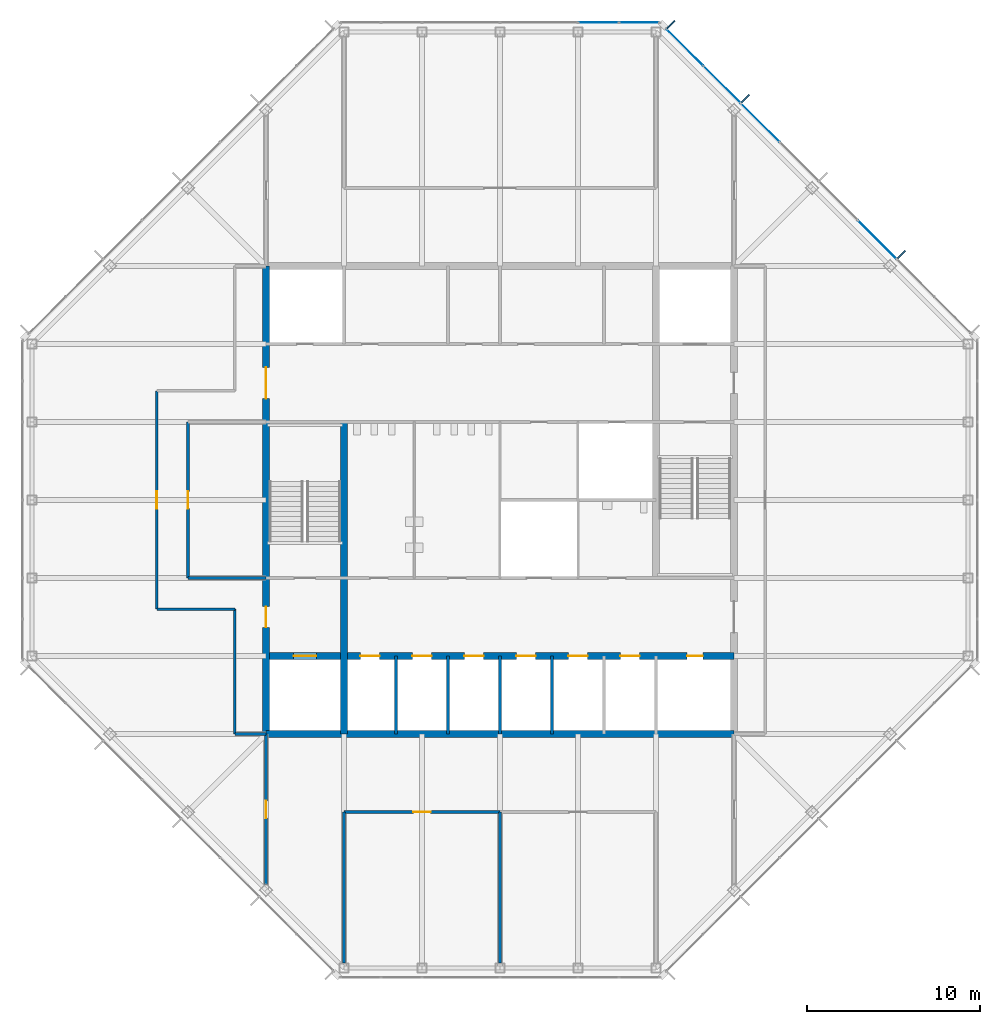
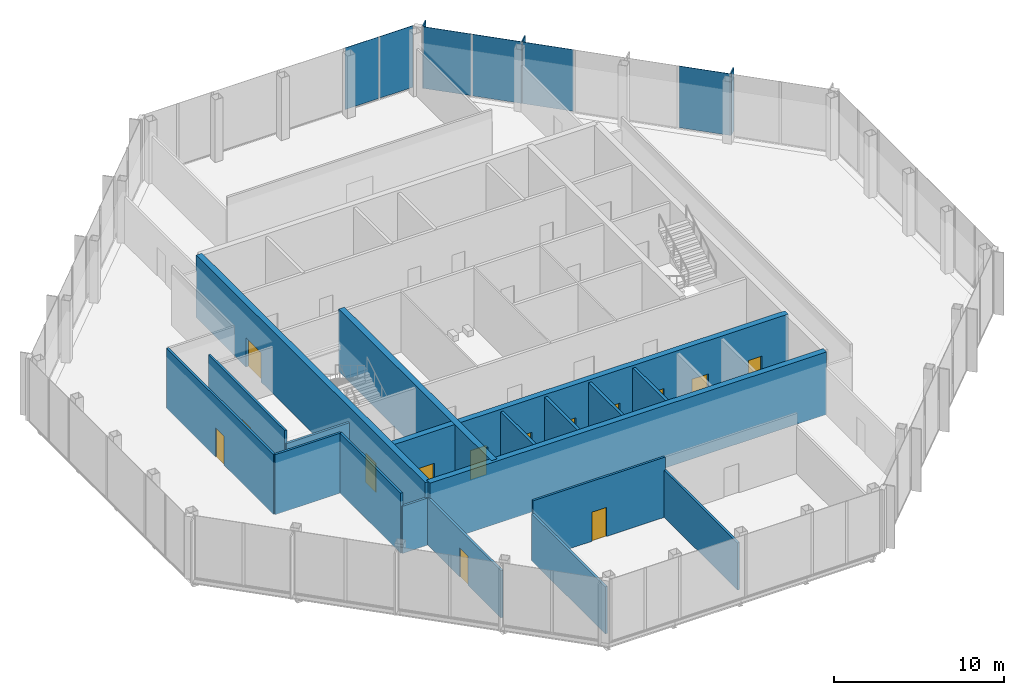
# One storey, part 9 of 13: 18 walls, 14 doors, 9 plates, 14 openings, 2 elements without a shape of their own.
"""IFC4 building model written with IfcOpenShell, lengths in metres."""

from ifc_helpers import new_model, si_unit, direction, frame, frame_2d, origin, origin_2d, place, context, subcontext, project, spatial, rectangle, extrude, material, layer, layer_set, type_object, element, fill, aggregate, save


model = new_model("IFC4")

# Units and contexts
model_context = context("Model", 3, precision=1e-05, world=origin(), true_north=direction((0.0, 1.0)))
body_context = subcontext(model_context, "Body", "Model", "MODEL_VIEW")
ifc_project = project(units=[si_unit("LENGTHUNIT", "METRE"), si_unit("AREAUNIT", "SQUARE_METRE"), si_unit("VOLUMEUNIT", "CUBIC_METRE"), si_unit("PLANEANGLEUNIT", "RADIAN"), si_unit("MASSUNIT", "GRAM", prefix="KILO")], contexts=[model_context])

# Site, building, storey
site_placement = place(None, origin())
site = spatial("IfcSite", under=ifc_project, at=site_placement, CompositionType="ELEMENT")
building_placement = place(site_placement, origin())
building = spatial("IfcBuilding", under=site, at=building_placement, Name="Corais Broadcast Tower", CompositionType="ELEMENT")
storey_placement = place(building_placement, frame((0.0, 0.0, 310.60009765625)))
storey = spatial("IfcBuildingStorey", under=building, at=storey_placement, Name="L73", CompositionType="ELEMENT", Elevation=310.60009765625)

# Curtain wall, plate
ifc_material_1 = material(Name="Aluminium and glass", Category="aluminium")
curtain_wall_type = type_object("IfcCurtainWallType", Name="Unitised fritted curtain wall CW3", PredefinedType="NOTDEFINED", material=ifc_material_1)
curtain_wall_1_placement = place(storey_placement, origin())
curtain_wall_1 = element("IfcCurtainWall", 1, at=curtain_wall_1_placement, inside=storey, type_object=curtain_wall_type, Name="CW3 curtain wall L73 4", PredefinedType="NOTDEFINED")
ifc_material_2 = material(Name="Ceramic-fritted laminated glass", Category="glass")
ifc_layer_1 = layer(ifc_material_2, 0.02587890625)
ifc_layer_set_1 = layer_set([ifc_layer_1], Name="Ceramic-fritted laminated glass")
plate_type_1 = type_object("IfcPlateType", Name="Fritted glass panel CW3", PredefinedType="CURTAIN_PANEL", material=ifc_layer_set_1)
plate_1_placement = place(storey_placement, frame((32.681884765625, 54.550048828125, 0.06494140625), z_axis=(0.0, 0.0, 1.0), x_axis=(1.0, 0.0, 0.0)))
plate_1 = element("IfcPlate", 2, at=plate_1_placement, type_object=plate_type_1, Name="CW3 panel 5", PredefinedType="CURTAIN_PANEL", context=body_context, shape_type="SweptSolid", body=[
    extrude(rectangle(XDim=2.298828125, YDim=0.02587890625, at=origin_2d()), origin(), (0.0, 0.0, 1.0), 4.43505859375),
])

# Curtain wall, plates
curtain_wall_2_placement = place(storey_placement, origin())
curtain_wall_2 = element("IfcCurtainWall", 3, at=curtain_wall_2_placement, inside=storey, type_object=curtain_wall_type, Name="CW3 curtain wall L73 5", PredefinedType="NOTDEFINED")
plate_2_placement = place(storey_placement, frame((37.669677734375, 53.108154296875, 0.06494140625), z_axis=(0.0, 0.0, 1.0), x_axis=(0.707106781187, -0.707106781187, 0.0)))
plate_2 = element("IfcPlate", 4, at=plate_2_placement, type_object=plate_type_1, Name="CW3 panel 1", PredefinedType="CURTAIN_PANEL", context=body_context, shape_type="SweptSolid", body=[
    extrude(rectangle(XDim=2.9482421875, YDim=0.02587890625, at=origin_2d()), origin(), (0.0, 0.0, 1.0), 4.43505859375),
])
plate_3_placement = place(storey_placement, frame((42.013916015625, 48.763916015625, 0.06494140625), z_axis=(0.0, 0.0, 1.0), x_axis=(0.707106781187, -0.707106781187, 0.0)))
plate_3 = element("IfcPlate", 5, at=plate_3_placement, type_object=plate_type_1, Name="CW3 panel 3", PredefinedType="CURTAIN_PANEL", context=body_context, shape_type="SweptSolid", body=[
    extrude(rectangle(XDim=3.116943359375, YDim=0.02587890625, at=origin_2d()), origin(), (0.0, 0.0, 1.0), 4.43505859375),
])

# Plate
ifc_material_3 = material(Name="Clear laminated glass", Category="glass")
ifc_layer_2 = layer(ifc_material_3, 0.030029296875)
ifc_layer_set_2 = layer_set([ifc_layer_2], Name="Clear laminated glass")
plate_type_2 = type_object("IfcPlateType", Name="Operable glass panel CW3", PredefinedType="CURTAIN_PANEL", material=ifc_layer_set_2)
plate_4_placement = place(storey_placement, frame((35.029541015625, 54.550048828125, 0.06494140625), z_axis=(0.0, 0.0, 1.0), x_axis=(1.0, 0.0, 0.0)))
plate_4 = element("IfcPlate", 6, at=plate_4_placement, type_object=plate_type_2, Name="CW3 operable panel 6", PredefinedType="CURTAIN_PANEL", context=body_context, shape_type="SweptSolid", body=[
    extrude(rectangle(XDim=2.266357421875, YDim=0.030029296875, at=origin_2d()), origin(), (0.0, 0.0, 1.0), 4.43505859375),
])

aggregate(curtain_wall_1, [plate_1, plate_4])

plate_5_placement = place(storey_placement, frame((39.81201171875, 50.9658203125, 0.06494140625), z_axis=(0.0, 0.0, 1.0), x_axis=(0.707106781187, -0.707106781187, 0.0)))
plate_5 = element("IfcPlate", 7, at=plate_5_placement, type_object=plate_type_2, Name="CW3 operable panel 2", PredefinedType="CURTAIN_PANEL", context=body_context, shape_type="SweptSolid", body=[
    extrude(rectangle(XDim=2.98095703125, YDim=0.030029296875, at=origin_2d()), origin(), (0.0, 0.0, 1.0), 4.43505859375),
])

plate_6_placement = place(storey_placement, frame((48.763916015625, 42.013916015625, 0.06494140625), z_axis=(0.0, 0.0, 1.0), x_axis=(0.707106781187, -0.707106781187, 0.0)))
plate_6 = element("IfcPlate", 8, at=plate_6_placement, type_object=plate_type_2, Name="CW3 operable panel 6", PredefinedType="CURTAIN_PANEL", context=body_context, shape_type="SweptSolid", body=[
    extrude(rectangle(XDim=3.116943359375, YDim=0.030029296875, at=origin_2d()), origin(), (0.0, 0.0, 1.0), 4.43505859375),
])

aggregate(curtain_wall_2, [plate_2, plate_5, plate_3, plate_6])

# Plates
ifc_material_4 = material(Name="Granite stone cladding", Category="masonry")
ifc_layer_3 = layer(ifc_material_4, 0.080078125)
ifc_layer_set_3 = layer_set([ifc_layer_3], Name="Granite stone cladding")
plate_type_3 = type_object("IfcPlateType", Name="Stone screen fin 80x600", PredefinedType="USERDEFINED", material=ifc_layer_set_3)
for number, where, z_axis, x_axis, name in (
    (9, (36.870849609375, 54.43994140625, 0.0), (0.0, 0.0, 1.0), (0.707106781187, -0.707106781187, 0.0), "SF1 stone screen fin L73"),
    (10, (41.155517578125, 50.155517578125, 0.0), (0.0, 0.0, 1.0), (0.707106781187, -0.707106781187, 0.0), "SF1 stone screen fin L73"),
    (11, (50.155517578125, 41.155517578125, 0.0), (0.0, 0.0, 1.0), (0.707106781187, -0.707106781187, 0.0), "SF1 stone screen fin L73"),
):
    element("IfcPlate", number, at=place(storey_placement, frame(where, z_axis=z_axis, x_axis=x_axis)), inside=storey, type_object=plate_type_3, Name=name, ObjectType="STONE SCREEN FIN", PredefinedType="USERDEFINED", context=body_context, shape_type="SweptSolid", body=[
        extrude(rectangle(XDim=0.080078125, YDim=0.60009765625, at=origin_2d()), origin(), (0.0, 0.0, 1.0), 4.5),
    ])

# Wall
ifc_material_5 = material(Name="Concrete C50/60", Category="concrete")
ifc_layer_4 = layer(ifc_material_5, 0.39990234375)
ifc_layer_set_4 = layer_set([ifc_layer_4], Name="Concrete C50/60")
wall_type_1 = type_object("IfcWallType", Name="Core wall 400", PredefinedType="SHEAR", material=ifc_layer_set_4)
wall_1_placement = place(storey_placement, frame((13.5, 13.5, 0.0), z_axis=(0.0, 0.0, 1.0), x_axis=(1.0, 0.0, 0.0)))
element("IfcWall", 12, at=wall_1_placement, inside=storey, type_object=wall_type_1, Name="CR400 core wall S L73", PredefinedType="SHEAR", context=body_context, shape_type="SweptSolid", body=[
    extrude(rectangle(XDim=27.0, YDim=0.39990234375, at=frame_2d((13.5, 0.0))), origin(), (0.0, 0.0, 1.0), 4.5),
])

# Wall, openings, doors
wall_2_placement = place(storey_placement, frame((13.5, 40.5, 0.0), z_axis=(0.0, 0.0, 1.0), x_axis=(0.0, -1.0, 0.0)))
wall_2 = element("IfcWall", 13, at=wall_2_placement, inside=storey, type_object=wall_type_1, Name="CR400 core wall W L73", PredefinedType="SHEAR", context=body_context, shape_type="SweptSolid", body=[
    extrude(rectangle(XDim=27.0, YDim=0.39990234375, at=frame_2d((13.5, 0.0))), origin(), (0.0, 0.0, 1.0), 4.5),
])
opening_1_placement = place(wall_2_placement, frame((19.64990234375, 0.0, 0.0)))
opening_1 = element("IfcOpeningElement", 14, at=opening_1_placement, cuts=wall_2, Name="Opening FD1", PredefinedType="OPENING", context=body_context, shape_type="SweptSolid", body=[
    extrude(rectangle(XDim=1.199951171875, YDim=2.10009765625, at=frame_2d((0.60009765625, 1.050048828125))), frame((0.0, 0.2099609375, 0.0), z_axis=(0.0, -1.0, 0.0), x_axis=(1.0, 0.0, 0.0)), (0.0, 0.0, 1.0), 0.419921875),
])
opening_2_placement = place(wall_2_placement, frame((5.85009765625, 0.0, 0.0)))
opening_2 = element("IfcOpeningElement", 15, at=opening_2_placement, cuts=wall_2, Name="Opening FD2", PredefinedType="OPENING", context=body_context, shape_type="SweptSolid", body=[
    extrude(rectangle(XDim=1.800048828125, YDim=2.10009765625, at=frame_2d((0.89990234375, 1.050048828125))), frame((0.0, 0.2099609375, 0.0), z_axis=(0.0, -1.0, 0.0), x_axis=(1.0, 0.0, 0.0)), (0.0, 0.0, 1.0), 0.419921875),
])
ifc_material_6 = material(Name="Steel fire door", Category="steel")
door_type_1 = type_object("IfcDoorType", Name="Fire door 1200x2100", OperationType="SINGLE_SWING_LEFT", PredefinedType="DOOR", material=ifc_material_6)
door_1_placement = place(opening_1_placement, origin())
door_1 = element("IfcDoor", 16, at=door_1_placement, inside=storey, type_object=door_type_1, Name="FD1 fire lobby A door L73", OperationType="SINGLE_SWING_RIGHT", OverallHeight=2.10009765625, OverallWidth=1.199951171875, PredefinedType="DOOR", context=body_context, shape_type="SweptSolid", body=[
    extrude(rectangle(XDim=1.199951171875, YDim=2.10009765625, at=frame_2d((0.60009765625, 1.050048828125))), frame((0.0, 0.02490234375, 0.0), z_axis=(0.0, -1.0, 0.0), x_axis=(1.0, 0.0, 0.0)), (0.0, 0.0, 1.0), 0.050048828125),
])
fill(opening_1, door_1)
ifc_material_7 = material(Name="Steel fire door", Category="steel")
door_type_2 = type_object("IfcDoorType", Name="Fire door pair 1800x2100", OperationType="DOUBLE_DOOR_SINGLE_SWING", PredefinedType="DOOR", material=ifc_material_7)
door_2_placement = place(opening_2_placement, origin())
door_2 = element("IfcDoor", 17, at=door_2_placement, inside=storey, type_object=door_type_2, Name="FD2 lift lobby door L73", OperationType="SINGLE_SWING_LEFT", OverallHeight=2.10009765625, OverallWidth=1.800048828125, PredefinedType="DOOR", context=body_context, shape_type="SweptSolid", body=[
    extrude(rectangle(XDim=1.800048828125, YDim=2.10009765625, at=frame_2d((0.89990234375, 1.050048828125))), frame((0.0, 0.02490234375, 0.0), z_axis=(0.0, -1.0, 0.0), x_axis=(1.0, 0.0, 0.0)), (0.0, 0.0, 1.0), 0.050048828125),
])
fill(opening_2, door_2)

# Wall
wall_3_placement = place(storey_placement, frame((18.0, 13.5, 0.0), z_axis=(0.0, 0.0, 1.0), x_axis=(0.0, 1.0, 0.0)))
element("IfcWall", 18, at=wall_3_placement, inside=storey, type_object=wall_type_1, Name="CR400 core wall X18A L73", PredefinedType="SHEAR", context=body_context, shape_type="SweptSolid", body=[
    extrude(rectangle(XDim=18.0, YDim=0.39990234375, at=frame_2d((9.0, 0.0))), origin(), (0.0, 0.0, 1.0), 4.5),
])

# Wall, openings, doors
wall_4_placement = place(storey_placement, frame((13.5, 18.0, 0.0), z_axis=(0.0, 0.0, 1.0), x_axis=(1.0, 0.0, 0.0)))
wall_4 = element("IfcWall", 19, at=wall_4_placement, inside=storey, type_object=wall_type_1, Name="CR400 core wall Y18 L73", PredefinedType="SHEAR", context=body_context, shape_type="SweptSolid", body=[
    extrude(rectangle(XDim=27.0, YDim=0.39990234375, at=frame_2d((13.5, 0.0))), origin(), (0.0, 0.0, 1.0), 4.5),
])
opening_3_placement = place(wall_4_placement, frame((24.300048828125, 0.0, 0.0)))
opening_3 = element("IfcOpeningElement", 20, at=opening_3_placement, cuts=wall_4, Name="Opening RD1", PredefinedType="OPENING", context=body_context, shape_type="SweptSolid", body=[
    extrude(rectangle(XDim=0.89990234375, YDim=2.10009765625, at=frame_2d((0.449951171875, 1.050048828125))), frame((0.0, 0.2099609375, 0.0), z_axis=(0.0, -1.0, 0.0), x_axis=(1.0, 0.0, 0.0)), (0.0, 0.0, 1.0), 0.419921875),
])
opening_4_placement = place(wall_4_placement, frame((5.449951171875, 0.0, 0.0)))
opening_4 = element("IfcOpeningElement", 21, at=opening_4_placement, cuts=wall_4, Name="Opening LD1", PredefinedType="OPENING", context=body_context, shape_type="SweptSolid", body=[
    extrude(rectangle(XDim=1.10009765625, YDim=2.10009765625, at=frame_2d((0.550048828125, 1.050048828125))), frame((0.0, 0.2099609375, 0.0), z_axis=(0.0, -1.0, 0.0), x_axis=(1.0, 0.0, 0.0)), (0.0, 0.0, 1.0), 0.419921875),
])
opening_5_placement = place(wall_4_placement, frame((8.449951171875, 0.0, 0.0)))
opening_5 = element("IfcOpeningElement", 22, at=opening_5_placement, cuts=wall_4, Name="Opening LD1", PredefinedType="OPENING", context=body_context, shape_type="SweptSolid", body=[
    extrude(rectangle(XDim=1.10009765625, YDim=2.10009765625, at=frame_2d((0.550048828125, 1.050048828125))), frame((0.0, 0.2099609375, 0.0), z_axis=(0.0, -1.0, 0.0), x_axis=(1.0, 0.0, 0.0)), (0.0, 0.0, 1.0), 0.419921875),
])
opening_6_placement = place(wall_4_placement, frame((11.449951171875, 0.0, 0.0)))
opening_6 = element("IfcOpeningElement", 23, at=opening_6_placement, cuts=wall_4, Name="Opening LD1", PredefinedType="OPENING", context=body_context, shape_type="SweptSolid", body=[
    extrude(rectangle(XDim=1.10009765625, YDim=2.10009765625, at=frame_2d((0.550048828125, 1.050048828125))), frame((0.0, 0.2099609375, 0.0), z_axis=(0.0, -1.0, 0.0), x_axis=(1.0, 0.0, 0.0)), (0.0, 0.0, 1.0), 0.419921875),
])
opening_7_placement = place(wall_4_placement, frame((14.449951171875, 0.0, 0.0)))
opening_7 = element("IfcOpeningElement", 24, at=opening_7_placement, cuts=wall_4, Name="Opening LD1", PredefinedType="OPENING", context=body_context, shape_type="SweptSolid", body=[
    extrude(rectangle(XDim=1.10009765625, YDim=2.10009765625, at=frame_2d((0.550048828125, 1.050048828125))), frame((0.0, 0.2099609375, 0.0), z_axis=(0.0, -1.0, 0.0), x_axis=(1.0, 0.0, 0.0)), (0.0, 0.0, 1.0), 0.419921875),
])
opening_8_placement = place(wall_4_placement, frame((17.449951171875, 0.0, 0.0)))
opening_8 = element("IfcOpeningElement", 25, at=opening_8_placement, cuts=wall_4, Name="Opening LD1", PredefinedType="OPENING", context=body_context, shape_type="SweptSolid", body=[
    extrude(rectangle(XDim=1.10009765625, YDim=2.10009765625, at=frame_2d((0.550048828125, 1.050048828125))), frame((0.0, 0.2099609375, 0.0), z_axis=(0.0, -1.0, 0.0), x_axis=(1.0, 0.0, 0.0)), (0.0, 0.0, 1.0), 0.419921875),
])
opening_9_placement = place(wall_4_placement, frame((20.449951171875, 0.0, 0.0)))
opening_9 = element("IfcOpeningElement", 26, at=opening_9_placement, cuts=wall_4, Name="Opening LD1", PredefinedType="OPENING", context=body_context, shape_type="SweptSolid", body=[
    extrude(rectangle(XDim=1.10009765625, YDim=2.10009765625, at=frame_2d((0.550048828125, 1.050048828125))), frame((0.0, 0.2099609375, 0.0), z_axis=(0.0, -1.0, 0.0), x_axis=(1.0, 0.0, 0.0)), (0.0, 0.0, 1.0), 0.419921875),
])
opening_10_placement = place(wall_4_placement, frame((1.60009765625, 0.0, 0.0)))
opening_10 = element("IfcOpeningElement", 27, at=opening_10_placement, cuts=wall_4, Name="Opening LD2", PredefinedType="OPENING", context=body_context, shape_type="SweptSolid", body=[
    extrude(rectangle(XDim=1.300048828125, YDim=2.199951171875, at=frame_2d((0.64990234375, 1.10009765625))), frame((0.0, 0.2099609375, 0.0), z_axis=(0.0, -1.0, 0.0), x_axis=(1.0, 0.0, 0.0)), (0.0, 0.0, 1.0), 0.419921875),
])
ifc_material_8 = material(Name="Stainless steel lift door", Category="steel")
door_type_3 = type_object("IfcDoorType", Name="Lift landing door 1100x2100", OperationType="SLIDING_TO_LEFT", PredefinedType="DOOR", material=ifc_material_8)
door_3_placement = place(opening_4_placement, origin())
door_3 = element("IfcDoor", 28, at=door_3_placement, inside=storey, type_object=door_type_3, Name="LD1 PH1 landing door L73", OperationType="SLIDING_TO_LEFT", OverallHeight=2.10009765625, OverallWidth=1.10009765625, PredefinedType="DOOR", context=body_context, shape_type="SweptSolid", body=[
    extrude(rectangle(XDim=1.10009765625, YDim=2.10009765625, at=frame_2d((0.550048828125, 1.050048828125))), frame((0.0, 0.02490234375, 0.0), z_axis=(0.0, -1.0, 0.0), x_axis=(1.0, 0.0, 0.0)), (0.0, 0.0, 1.0), 0.050048828125),
])
fill(opening_4, door_3)
door_4_placement = place(opening_5_placement, origin())
door_4 = element("IfcDoor", 29, at=door_4_placement, inside=storey, type_object=door_type_3, Name="LD1 PH2 landing door L73", OperationType="SLIDING_TO_LEFT", OverallHeight=2.10009765625, OverallWidth=1.10009765625, PredefinedType="DOOR", context=body_context, shape_type="SweptSolid", body=[
    extrude(rectangle(XDim=1.10009765625, YDim=2.10009765625, at=frame_2d((0.550048828125, 1.050048828125))), frame((0.0, 0.02490234375, 0.0), z_axis=(0.0, -1.0, 0.0), x_axis=(1.0, 0.0, 0.0)), (0.0, 0.0, 1.0), 0.050048828125),
])
fill(opening_5, door_4)
door_5_placement = place(opening_6_placement, origin())
door_5 = element("IfcDoor", 30, at=door_5_placement, inside=storey, type_object=door_type_3, Name="LD1 PH3 landing door L73", OperationType="SLIDING_TO_LEFT", OverallHeight=2.10009765625, OverallWidth=1.10009765625, PredefinedType="DOOR", context=body_context, shape_type="SweptSolid", body=[
    extrude(rectangle(XDim=1.10009765625, YDim=2.10009765625, at=frame_2d((0.550048828125, 1.050048828125))), frame((0.0, 0.02490234375, 0.0), z_axis=(0.0, -1.0, 0.0), x_axis=(1.0, 0.0, 0.0)), (0.0, 0.0, 1.0), 0.050048828125),
])
fill(opening_6, door_5)
door_6_placement = place(opening_7_placement, origin())
door_6 = element("IfcDoor", 31, at=door_6_placement, inside=storey, type_object=door_type_3, Name="LD1 PH4 landing door L73", OperationType="SLIDING_TO_LEFT", OverallHeight=2.10009765625, OverallWidth=1.10009765625, PredefinedType="DOOR", context=body_context, shape_type="SweptSolid", body=[
    extrude(rectangle(XDim=1.10009765625, YDim=2.10009765625, at=frame_2d((0.550048828125, 1.050048828125))), frame((0.0, 0.02490234375, 0.0), z_axis=(0.0, -1.0, 0.0), x_axis=(1.0, 0.0, 0.0)), (0.0, 0.0, 1.0), 0.050048828125),
])
fill(opening_7, door_6)
door_7_placement = place(opening_8_placement, origin())
door_7 = element("IfcDoor", 32, at=door_7_placement, inside=storey, type_object=door_type_3, Name="LD1 PH5 landing door L73", OperationType="SLIDING_TO_LEFT", OverallHeight=2.10009765625, OverallWidth=1.10009765625, PredefinedType="DOOR", context=body_context, shape_type="SweptSolid", body=[
    extrude(rectangle(XDim=1.10009765625, YDim=2.10009765625, at=frame_2d((0.550048828125, 1.050048828125))), frame((0.0, 0.02490234375, 0.0), z_axis=(0.0, -1.0, 0.0), x_axis=(1.0, 0.0, 0.0)), (0.0, 0.0, 1.0), 0.050048828125),
])
fill(opening_8, door_7)
door_8_placement = place(opening_9_placement, origin())
door_8 = element("IfcDoor", 33, at=door_8_placement, inside=storey, type_object=door_type_3, Name="LD1 PH6 landing door L73", OperationType="SLIDING_TO_LEFT", OverallHeight=2.10009765625, OverallWidth=1.10009765625, PredefinedType="DOOR", context=body_context, shape_type="SweptSolid", body=[
    extrude(rectangle(XDim=1.10009765625, YDim=2.10009765625, at=frame_2d((0.550048828125, 1.050048828125))), frame((0.0, 0.02490234375, 0.0), z_axis=(0.0, -1.0, 0.0), x_axis=(1.0, 0.0, 0.0)), (0.0, 0.0, 1.0), 0.050048828125),
])
fill(opening_9, door_8)
ifc_material_9 = material(Name="Stainless steel lift door", Category="steel")
door_type_4 = type_object("IfcDoorType", Name="Lift landing door 1300x2200", OperationType="SLIDING_TO_LEFT", PredefinedType="DOOR", material=ifc_material_9)
door_9_placement = place(opening_10_placement, origin())
door_9 = element("IfcDoor", 34, at=door_9_placement, inside=storey, type_object=door_type_4, Name="LD2 FL1 landing door L73", OperationType="SLIDING_TO_LEFT", OverallHeight=2.199951171875, OverallWidth=1.300048828125, PredefinedType="DOOR", context=body_context, shape_type="SweptSolid", body=[
    extrude(rectangle(XDim=1.300048828125, YDim=2.199951171875, at=frame_2d((0.64990234375, 1.10009765625))), frame((0.0, 0.02490234375, 0.0), z_axis=(0.0, -1.0, 0.0), x_axis=(1.0, 0.0, 0.0)), (0.0, 0.0, 1.0), 0.050048828125),
])
fill(opening_10, door_9)
ifc_material_10 = material(Name="Steel fire door", Category="steel")
door_type_5 = type_object("IfcDoorType", Name="Riser door 900x2100", OperationType="SINGLE_SWING_LEFT", PredefinedType="DOOR", material=ifc_material_10)
door_10_placement = place(opening_3_placement, origin())
door_10 = element("IfcDoor", 35, at=door_10_placement, inside=storey, type_object=door_type_5, Name="RD1 riser door L73", OperationType="SINGLE_SWING_RIGHT", OverallHeight=2.10009765625, OverallWidth=0.89990234375, PredefinedType="DOOR", context=body_context, shape_type="SweptSolid", body=[
    extrude(rectangle(XDim=0.89990234375, YDim=2.10009765625, at=frame_2d((0.449951171875, 1.050048828125))), frame((0.0, 0.02490234375, 0.0), z_axis=(0.0, -1.0, 0.0), x_axis=(1.0, 0.0, 0.0)), (0.0, 0.0, 1.0), 0.050048828125),
])
fill(opening_3, door_10)

# Wall, opening, door
ifc_material_11 = material(Name="Gypsum board on steel studs", Category="steel")
ifc_layer_5 = layer(ifc_material_11, 0.14990234375)
ifc_layer_set_5 = layer_set([ifc_layer_5], Name="Gypsum board on steel studs")
wall_type_2 = type_object("IfcWallType", Name="Partition 150", PredefinedType="PARTITIONING", material=ifc_layer_set_5)
wall_5_placement = place(storey_placement, frame((7.199951171875, 33.300048828125, 0.0), z_axis=(0.0, 0.0, 1.0), x_axis=(0.0, -1.0, 0.0)))
wall_5 = element("IfcWall", 36, at=wall_5_placement, inside=storey, type_object=wall_type_2, Name="IW3 corridor wall L73", PredefinedType="PARTITIONING", context=body_context, shape_type="SweptSolid", body=[
    extrude(rectangle(XDim=12.60009765625, YDim=0.14990234375, at=frame_2d((6.300048828125, 0.0))), origin(), (0.0, 0.0, 1.0), 4.31982421875),
])
opening_11_placement = place(wall_5_placement, frame((5.800048828125, 0.0, 0.0)))
opening_11 = element("IfcOpeningElement", 37, at=opening_11_placement, cuts=wall_5, Name="Opening D1", PredefinedType="OPENING", context=body_context, shape_type="SweptSolid", body=[
    extrude(rectangle(XDim=1.0, YDim=2.10009765625, at=frame_2d((0.5, 1.050048828125))), frame((0.0, 0.0849609375, 0.0), z_axis=(0.0, -1.0, 0.0), x_axis=(1.0, 0.0, 0.0)), (0.0, 0.0, 1.0), 0.169921875),
])
ifc_material_12 = material(Name="Timber door", Category="wood")
door_type_6 = type_object("IfcDoorType", Name="Single door 1000x2100", OperationType="SINGLE_SWING_LEFT", PredefinedType="DOOR", material=ifc_material_12)
door_11_placement = place(opening_11_placement, origin())
door_11 = element("IfcDoor", 38, at=door_11_placement, inside=storey, type_object=door_type_6, Name="D1 workplace door L73", OperationType="SINGLE_SWING_LEFT", OverallHeight=2.10009765625, OverallWidth=1.0, PredefinedType="DOOR", context=body_context, shape_type="SweptSolid", body=[
    extrude(rectangle(XDim=1.0, YDim=2.10009765625, at=frame_2d((0.5, 1.050048828125))), frame((0.0, 0.02490234375, 0.0), z_axis=(0.0, -1.0, 0.0), x_axis=(1.0, 0.0, 0.0)), (0.0, 0.0, 1.0), 0.050048828125),
])
fill(opening_11, door_11)

# Walls
wall_6_placement = place(storey_placement, frame((11.699951171875, 20.699951171875, 0.0), z_axis=(0.0, 0.0, 1.0), x_axis=(0.0, -1.0, 0.0)))
element("IfcWall", 39, at=wall_6_placement, inside=storey, type_object=wall_type_2, Name="IW3 corridor wall L73", PredefinedType="PARTITIONING", context=body_context, shape_type="SweptSolid", body=[
    extrude(rectangle(XDim=7.199951171875, YDim=0.14990234375, at=frame_2d((3.60009765625, 0.0))), origin(), (0.0, 0.0, 1.0), 4.31982421875),
])
wall_7_placement = place(storey_placement, frame((7.199951171875, 20.699951171875, 0.0), z_axis=(0.0, 0.0, 1.0), x_axis=(1.0, 0.0, 0.0)))
element("IfcWall", 40, at=wall_7_placement, inside=storey, type_object=wall_type_2, Name="IW3 corridor wall L73", PredefinedType="PARTITIONING", context=body_context, shape_type="SweptSolid", body=[
    extrude(rectangle(XDim=4.5, YDim=0.14990234375, at=frame_2d((2.25, 0.0))), origin(), (0.0, 0.0, 1.0), 4.31982421875),
])
wall_8_placement = place(storey_placement, frame((11.699951171875, 13.5, 0.0), z_axis=(0.0, 0.0, 1.0), x_axis=(1.0, 0.0, 0.0)))
element("IfcWall", 41, at=wall_8_placement, inside=storey, type_object=wall_type_2, Name="IW3 corridor wall L73", PredefinedType="PARTITIONING", context=body_context, shape_type="SweptSolid", body=[
    extrude(rectangle(XDim=1.81005859375, YDim=0.14990234375, at=frame_2d((0.905029296875, 0.0))), origin(), (0.0, 0.0, 1.0), 3.392822265625),
])
wall_9_placement = place(storey_placement, frame((27.0, 0.284912109375, 0.0), z_axis=(0.0, 0.0, 1.0), x_axis=(0.0, 1.0, 0.0)))
element("IfcWall", 42, at=wall_9_placement, inside=storey, type_object=wall_type_2, Name="IW3 partition L73", PredefinedType="PARTITIONING", context=body_context, shape_type="SweptSolid", body=[
    extrude(rectangle(XDim=8.715087890625, YDim=0.14990234375, at=frame_2d((4.357421875, 0.0))), origin(), (0.0, 0.0, 1.0), 3.392822265625),
])

# Wall, opening, door
wall_10_placement = place(storey_placement, frame((27.0, 9.0, 0.0), z_axis=(0.0, 0.0, 1.0), x_axis=(-1.0, 0.0, 0.0)))
wall_10 = element("IfcWall", 43, at=wall_10_placement, inside=storey, type_object=wall_type_2, Name="IW3 partition L73", PredefinedType="PARTITIONING", context=body_context, shape_type="SweptSolid", body=[
    extrude(rectangle(XDim=9.0, YDim=0.14990234375, at=frame_2d((4.5, 0.0))), origin(), (0.0, 0.0, 1.0), 4.31982421875),
])
opening_12_placement = place(wall_10_placement, frame((4.0, 0.0, 0.0)))
opening_12 = element("IfcOpeningElement", 44, at=opening_12_placement, cuts=wall_10, Name="Opening D1", PredefinedType="OPENING", context=body_context, shape_type="SweptSolid", body=[
    extrude(rectangle(XDim=1.0, YDim=2.10009765625, at=frame_2d((0.5, 1.050048828125))), frame((0.0, 0.0849609375, 0.0), z_axis=(0.0, -1.0, 0.0), x_axis=(1.0, 0.0, 0.0)), (0.0, 0.0, 1.0), 0.169921875),
])
door_12_placement = place(opening_12_placement, origin())
door_12 = element("IfcDoor", 45, at=door_12_placement, inside=storey, type_object=door_type_6, Name="D1 Executive office door", OperationType="SINGLE_SWING_LEFT", OverallHeight=2.10009765625, OverallWidth=1.0, PredefinedType="DOOR", context=body_context, shape_type="SweptSolid", body=[
    extrude(rectangle(XDim=1.0, YDim=2.10009765625, at=frame_2d((0.5, 1.050048828125))), frame((0.0, 0.02490234375, 0.0), z_axis=(0.0, -1.0, 0.0), x_axis=(1.0, 0.0, 0.0)), (0.0, 0.0, 1.0), 0.050048828125),
])
fill(opening_12, door_12)

# Walls
wall_11_placement = place(storey_placement, frame((18.0, 9.0, 0.0), z_axis=(0.0, 0.0, 1.0), x_axis=(0.0, -1.0, 0.0)))
element("IfcWall", 46, at=wall_11_placement, inside=storey, type_object=wall_type_2, Name="IW3 partition L73", PredefinedType="PARTITIONING", context=body_context, shape_type="SweptSolid", body=[
    extrude(rectangle(XDim=8.715087890625, YDim=0.14990234375, at=frame_2d((4.357421875, 0.0))), origin(), (0.0, 0.0, 1.0), 3.392822265625),
])
wall_12_placement = place(storey_placement, frame((9.0, 22.5, 0.0), z_axis=(0.0, 0.0, 1.0), x_axis=(1.0, 0.0, 0.0)))
element("IfcWall", 47, at=wall_12_placement, inside=storey, type_object=wall_type_2, Name="IW3 partition L73", PredefinedType="PARTITIONING", context=body_context, shape_type="SweptSolid", body=[
    extrude(rectangle(XDim=4.5, YDim=0.14990234375, at=frame_2d((2.25, 0.0))), origin(), (0.0, 0.0, 1.0), 3.392822265625),
])

# Wall, opening, door
wall_13_placement = place(storey_placement, frame((9.0, 31.5, 0.0), z_axis=(0.0, 0.0, 1.0), x_axis=(0.0, -1.0, 0.0)))
wall_13 = element("IfcWall", 48, at=wall_13_placement, inside=storey, type_object=wall_type_2, Name="IW3 partition L73", PredefinedType="PARTITIONING", context=body_context, shape_type="SweptSolid", body=[
    extrude(rectangle(XDim=9.0, YDim=0.14990234375, at=frame_2d((4.5, 0.0))), origin(), (0.0, 0.0, 1.0), 4.31982421875),
])
opening_13_placement = place(wall_13_placement, frame((4.0, 0.0, 0.0)))
opening_13 = element("IfcOpeningElement", 49, at=opening_13_placement, cuts=wall_13, Name="Opening D1", PredefinedType="OPENING", context=body_context, shape_type="SweptSolid", body=[
    extrude(rectangle(XDim=1.0, YDim=2.10009765625, at=frame_2d((0.5, 1.050048828125))), frame((0.0, 0.0849609375, 0.0), z_axis=(0.0, -1.0, 0.0), x_axis=(1.0, 0.0, 0.0)), (0.0, 0.0, 1.0), 0.169921875),
])
door_13_placement = place(opening_13_placement, origin())
door_13 = element("IfcDoor", 50, at=door_13_placement, inside=storey, type_object=door_type_6, Name="D1 Pantry door", OperationType="SINGLE_SWING_LEFT", OverallHeight=2.10009765625, OverallWidth=1.0, PredefinedType="DOOR", context=body_context, shape_type="SweptSolid", body=[
    extrude(rectangle(XDim=1.0, YDim=2.10009765625, at=frame_2d((0.5, 1.050048828125))), frame((0.0, 0.02490234375, 0.0), z_axis=(0.0, -1.0, 0.0), x_axis=(1.0, 0.0, 0.0)), (0.0, 0.0, 1.0), 0.050048828125),
])
fill(opening_13, door_13)

wall_14_placement = place(storey_placement, frame((13.5, 4.794921875, 0.0), z_axis=(0.0, 0.0, 1.0), x_axis=(0.0, 1.0, 0.0)))
wall_14 = element("IfcWall", 51, at=wall_14_placement, inside=storey, type_object=wall_type_2, Name="IW3 partition L73", PredefinedType="PARTITIONING", context=body_context, shape_type="SweptSolid", body=[
    extrude(rectangle(XDim=8.705078125, YDim=0.14990234375, at=frame_2d((4.3525390625, 0.0))), origin(), (0.0, 0.0, 1.0), 3.392822265625),
])
opening_14_placement = place(wall_14_placement, frame((3.8525390625, 0.0, 0.0)))
opening_14 = element("IfcOpeningElement", 52, at=opening_14_placement, cuts=wall_14, Name="Opening D1", PredefinedType="OPENING", context=body_context, shape_type="SweptSolid", body=[
    extrude(rectangle(XDim=1.0, YDim=2.10009765625, at=frame_2d((0.5, 1.050048828125))), frame((0.0, 0.0849609375, 0.0), z_axis=(0.0, -1.0, 0.0), x_axis=(1.0, 0.0, 0.0)), (0.0, 0.0, 1.0), 0.169921875),
])
door_14_placement = place(opening_14_placement, origin())
door_14 = element("IfcDoor", 53, at=door_14_placement, inside=storey, type_object=door_type_6, Name="D1 team room door L73", OperationType="SINGLE_SWING_LEFT", OverallHeight=2.10009765625, OverallWidth=1.0, PredefinedType="DOOR", context=body_context, shape_type="SweptSolid", body=[
    extrude(rectangle(XDim=1.0, YDim=2.10009765625, at=frame_2d((0.5, 1.050048828125))), frame((0.0, 0.02490234375, 0.0), z_axis=(0.0, -1.0, 0.0), x_axis=(1.0, 0.0, 0.0)), (0.0, 0.0, 1.0), 0.050048828125),
])
fill(opening_14, door_14)

# Walls
ifc_material_13 = material(Name="Concrete blockwork class A, grouted, two-hour", Category="masonry")
ifc_layer_6 = layer(ifc_material_13, 0.199951171875)
ifc_layer_set_6 = layer_set([ifc_layer_6], Name="Concrete blockwork class A, grouted, two-hour")
wall_type_3 = type_object("IfcWallType", Name="Shaft wall 200", PredefinedType="PARTITIONING", material=ifc_layer_set_6)
for number, where, z_axis, x_axis, name in (
    (54, (21.0, 13.5, 0.0), (0.0, 0.0, 1.0), (0.0, 1.0, 0.0), "IW1 shaft wall L73"),
    (55, (24.0, 13.5, 0.0), (0.0, 0.0, 1.0), (0.0, 1.0, 0.0), "IW1 shaft wall L73"),
    (56, (27.0, 13.5, 0.0), (0.0, 0.0, 1.0), (0.0, 1.0, 0.0), "IW1 shaft wall L73"),
    (57, (30.0, 13.5, 0.0), (0.0, 0.0, 1.0), (0.0, 1.0, 0.0), "IW1 shaft wall L73"),
):
    element("IfcWall", number, at=place(storey_placement, frame(where, z_axis=z_axis, x_axis=x_axis)), inside=storey, type_object=wall_type_3, Name=name, PredefinedType="PARTITIONING", context=body_context, shape_type="SweptSolid", body=[
        extrude(rectangle(XDim=4.5, YDim=0.199951171875, at=frame_2d((2.25, 0.0))), origin(), (0.0, 0.0, 1.0), 4.31982421875),
    ])

save(model, "model.ifc")
